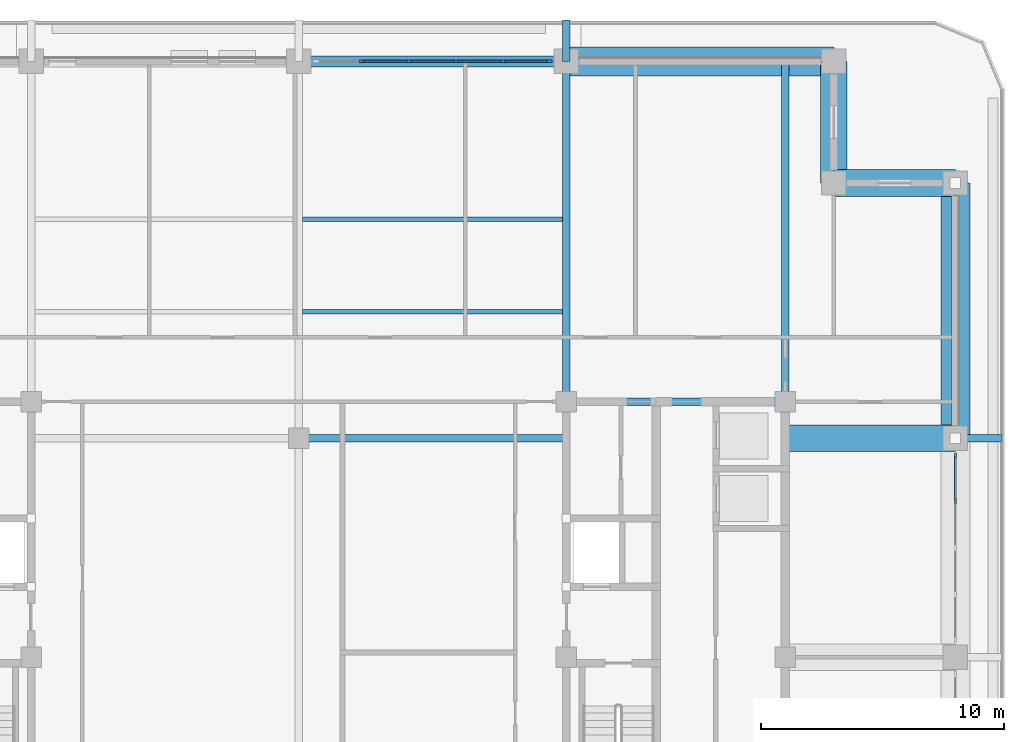
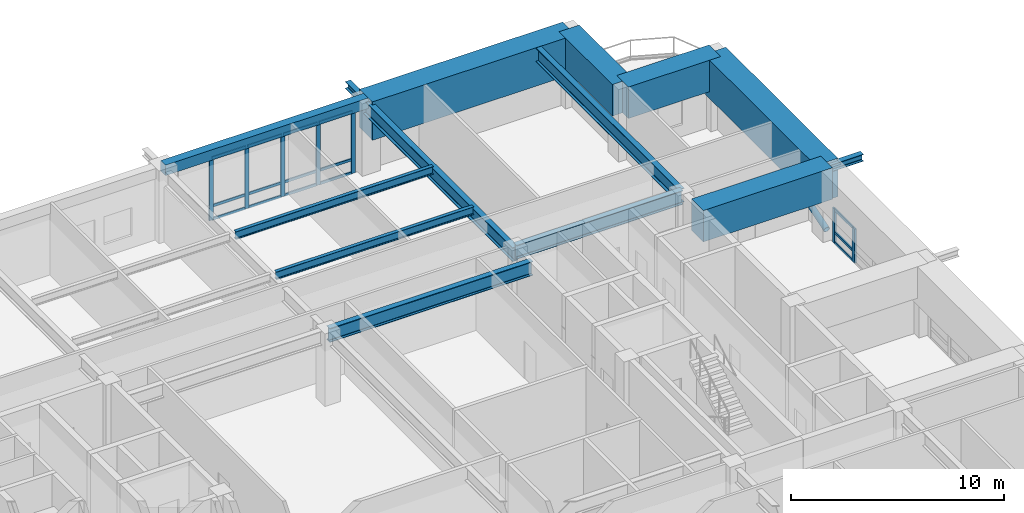
# One storey, part 6 of 20: 23 members, 14 beams, 2 elements without a shape of their own.
"""IFC4 building model written with IfcOpenShell, lengths in metres."""

from ifc_helpers import new_model, si_unit, direction, frame, origin, origin_2d, place, context, subcontext, project, spatial, rectangle, hollow_circle, i_section, extrude, material, material_profile, profile_set, type_object, element, aggregate, save


model = new_model("IFC4")

# Units and contexts
model_context = context("Model", 3, precision=1e-05, world=origin(), true_north=direction((0.0, 1.0)))
body_context = subcontext(model_context, "Body", "Model", "MODEL_VIEW")
ifc_project = project(units=[si_unit("LENGTHUNIT", "METRE"), si_unit("AREAUNIT", "SQUARE_METRE"), si_unit("VOLUMEUNIT", "CUBIC_METRE"), si_unit("PLANEANGLEUNIT", "RADIAN"), si_unit("MASSUNIT", "GRAM", prefix="KILO")], contexts=[model_context])

# Site, building, storey
site_placement = place(None, origin())
site = spatial("IfcSite", under=ifc_project, at=site_placement, CompositionType="ELEMENT")
building_placement = place(site_placement, origin())
building = spatial("IfcBuilding", under=site, at=building_placement, Name="Zulmaris Gate Convention Tower", CompositionType="ELEMENT")
storey_placement = place(building_placement, frame((0.0, 0.0, 158.23974609375)))
storey = spatial("IfcBuildingStorey", under=building, at=storey_placement, Name="L40", CompositionType="ELEMENT", Elevation=158.23974609375)

# Beams
ifc_material_1 = material(Name="Steel S355", Category="steel")
ifc_material_profile_1 = material_profile(ifc_material_1, i_section(OverallWidth=0.300048828125, OverallDepth=0.39990234375, WebThickness=0.013427734375, FlangeThickness=0.02392578125, FilletRadius=0.027099609375, at=origin_2d()), Name="HEB 400")
ifc_profile_set_1 = profile_set([ifc_material_profile_1], Name="Steel S355")
beam_type_1 = type_object("IfcBeamType", Name="BM-HEB400", PredefinedType="BEAM", material=ifc_profile_set_1)
beam_1_placement = place(storey_placement, frame((11.0, 24.5, 3.793212890625), z_axis=(0.0, 1.0, 0.0), x_axis=(-1.0, 0.0, 0.0)))
element("IfcBeam", 1, at=beam_1_placement, inside=storey, type_object=beam_type_1, Name="L40 Beam TBRK-L40-N-+11", PredefinedType="BEAM", context=body_context, shape_type="SweptSolid", body=[
    extrude(i_section(OverallWidth=0.300048828125, OverallDepth=0.39990234375, WebThickness=0.013427734375, FlangeThickness=0.02392578125, FilletRadius=0.027099609375, at=origin_2d()), origin(), (0.0, 0.0, 1.0), 1.699951171875),
])
beam_2_placement = place(storey_placement, frame((27.0, 9.0, 3.830078125), z_axis=(1.0, 0.0, 0.0), x_axis=(0.0, 1.0, 0.0)))
element("IfcBeam", 2, at=beam_2_placement, inside=storey, type_object=beam_type_1, Name="L40 Beam TBRK-L40-E-+9", PredefinedType="BEAM", context=body_context, shape_type="SweptSolid", body=[
    extrude(i_section(OverallWidth=0.300048828125, OverallDepth=0.39990234375, WebThickness=0.013427734375, FlangeThickness=0.02392578125, FilletRadius=0.027099609375, at=origin_2d()), origin(), (0.0, 0.0, 1.0), 1.89990234375),
])
ifc_material_profile_2 = material_profile(ifc_material_1, i_section(OverallWidth=0.300048828125, OverallDepth=0.800048828125, WebThickness=0.017578125, FlangeThickness=0.032958984375, FilletRadius=0.030029296875, at=origin_2d()), Name="HEB 800")
ifc_profile_set_2 = profile_set([ifc_material_profile_2], Name="Steel S355")
beam_type_2 = type_object("IfcBeamType", Name="BM-HEB800", PredefinedType="BEAM", material=ifc_profile_set_2)
beam_3_placement = place(storey_placement, frame((0.0, 9.0, 3.76806640625), z_axis=(1.0, 0.0, 0.0), x_axis=(0.0, 1.0, 0.0)))
element("IfcBeam", 3, at=beam_3_placement, inside=storey, type_object=beam_type_2, Name="L40 Beam BM-L40-G04", PredefinedType="BEAM", context=body_context, shape_type="SweptSolid", body=[
    extrude(i_section(OverallWidth=0.300048828125, OverallDepth=0.800048828125, WebThickness=0.017578125, FlangeThickness=0.032958984375, FilletRadius=0.030029296875, at=origin_2d()), origin(), (0.0, 0.0, 1.0), 11.0),
])
for number, where, z_axis, x_axis, name in (
    (4, (11.0, 10.5, 3.59326171875), (0.0, 1.0, 0.0), (-1.0, 0.0, 0.0), "L40 Beam BM-L40-G11"),
    (5, (20.0, 10.5, 3.76806640625), (0.0, 1.0, 0.0), (-1.0, 0.0, 0.0), "L40 Beam BM-L40-G15"),
):
    element("IfcBeam", number, at=place(storey_placement, frame(where, z_axis=z_axis, x_axis=x_axis)), inside=storey, type_object=beam_type_2, Name=name, PredefinedType="BEAM", context=body_context, shape_type="SweptSolid", body=[
        extrude(i_section(OverallWidth=0.300048828125, OverallDepth=0.800048828125, WebThickness=0.017578125, FlangeThickness=0.032958984375, FilletRadius=0.030029296875, at=origin_2d()), origin(), (0.0, 0.0, 1.0), 14.0),
    ])
beam_4_placement = place(storey_placement, frame((11.0, 10.5, 3.76806640625), z_axis=(1.0, 0.0, 0.0), x_axis=(0.0, 1.0, 0.0)))
element("IfcBeam", 6, at=beam_4_placement, inside=storey, type_object=beam_type_2, Name="L40 Beam BM-L40-G25", PredefinedType="BEAM", context=body_context, shape_type="SweptSolid", body=[
    extrude(i_section(OverallWidth=0.300048828125, OverallDepth=0.800048828125, WebThickness=0.017578125, FlangeThickness=0.032958984375, FilletRadius=0.030029296875, at=origin_2d()), origin(), (0.0, 0.0, 1.0), 9.0),
])
ifc_material_2 = material(Name="Precast concrete C50/60", Category="concrete")
ifc_material_profile_3 = material_profile(ifc_material_2, rectangle(XDim=0.449951171875, YDim=0.60009765625, at=origin_2d()), Name="RC SPANDREL 450x600")
ifc_profile_set_3 = profile_set([ifc_material_profile_3], Name="Precast concrete C50/60")
beam_type_3 = type_object("IfcBeamType", Name="BM-SP450x600", PredefinedType="SPANDREL", material=ifc_profile_set_3)
beam_5_placement = place(storey_placement, frame((11.0, 24.5, 3.8701171875), z_axis=(-1.0, 0.0, 0.0), x_axis=(0.0, -1.0, 0.0)))
element("IfcBeam", 7, at=beam_5_placement, inside=storey, type_object=beam_type_3, Name="L40 Spandrel SP-L40-14", PredefinedType="SPANDREL", context=body_context, shape_type="SweptSolid", body=[
    extrude(rectangle(XDim=0.449951171875, YDim=0.60009765625, at=origin_2d()), origin(), (0.0, 0.0, 1.0), 11.0),
])
ifc_material_3 = material(Name="Concrete C80/95", Category="concrete")
ifc_material_profile_4 = material_profile(ifc_material_3, rectangle(XDim=1.10009765625, YDim=1.800048828125, at=origin_2d()), Name="RC TRANSFER 1100x1800")
ifc_profile_set_4 = profile_set([ifc_material_profile_4], Name="Concrete C80/95")
beam_type_4 = type_object("IfcBeamType", Name="BM-XFER1800", PredefinedType="BEAM", material=ifc_profile_set_4)
for number, where, z_axis, x_axis, name in (
    (8, (27.0, 19.5, 3.270263671875), (-1.0, 0.0, 0.0), (0.0, -1.0, 0.0), "L40 Beam SP-L40-11"),
    (9, (22.0, 19.5, 3.270263671875), (0.0, 1.0, 0.0), (-1.0, 0.0, 0.0), "L40 Beam SP-L40-12"),
):
    element("IfcBeam", number, at=place(storey_placement, frame(where, z_axis=z_axis, x_axis=x_axis)), inside=storey, type_object=beam_type_4, Name=name, PredefinedType="BEAM", context=body_context, shape_type="SweptSolid", body=[
        extrude(rectangle(XDim=1.10009765625, YDim=1.800048828125, at=origin_2d()), origin(), (0.0, 0.0, 1.0), 5.0),
    ])
beam_6_placement = place(storey_placement, frame((20.0, 9.0, 3.270263671875), z_axis=(1.0, 0.0, 0.0), x_axis=(0.0, 1.0, 0.0)))
element("IfcBeam", 10, at=beam_6_placement, inside=storey, type_object=beam_type_4, Name="L40 Beam BM-L40-G21", PredefinedType="BEAM", context=body_context, shape_type="SweptSolid", body=[
    extrude(rectangle(XDim=1.10009765625, YDim=1.800048828125, at=origin_2d()), origin(), (0.0, 0.0, 1.0), 7.0),
])
ifc_material_profile_5 = material_profile(ifc_material_3, rectangle(XDim=1.199951171875, YDim=2.199951171875, at=origin_2d()), Name="RC TRANSFER 1200x2200")
ifc_profile_set_5 = profile_set([ifc_material_profile_5], Name="Concrete C80/95")
beam_type_5 = type_object("IfcBeamType", Name="BM-XFER2200", PredefinedType="BEAM", material=ifc_profile_set_5)
beam_7_placement = place(storey_placement, frame((27.0, 9.0, 3.070068359375), z_axis=(0.0, 1.0, 0.0), x_axis=(-1.0, 0.0, 0.0)))
element("IfcBeam", 11, at=beam_7_placement, inside=storey, type_object=beam_type_5, Name="L40 Beam SP-L40-10", PredefinedType="BEAM", context=body_context, shape_type="SweptSolid", body=[
    extrude(rectangle(XDim=1.199951171875, YDim=2.199951171875, at=origin_2d()), origin(), (0.0, 0.0, 1.0), 10.5),
])
beam_8_placement = place(storey_placement, frame((22.0, 24.5, 3.070068359375), z_axis=(-1.0, 0.0, 0.0), x_axis=(0.0, -1.0, 0.0)))
element("IfcBeam", 12, at=beam_8_placement, inside=storey, type_object=beam_type_5, Name="L40 Beam SP-L40-13", PredefinedType="BEAM", context=body_context, shape_type="SweptSolid", body=[
    extrude(rectangle(XDim=1.199951171875, YDim=2.199951171875, at=origin_2d()), origin(), (0.0, 0.0, 1.0), 11.0),
])

# Member
ifc_material_profile_6 = material_profile(ifc_material_1, hollow_circle(Radius=0.161865234375, WallThickness=0.01611328125, at=origin_2d()), Name="CHS 323.9x16")
ifc_profile_set_6 = profile_set([ifc_material_profile_6], Name="Steel S355")
member_type_1 = type_object("IfcMemberType", Name="BR-CHS324", PredefinedType="BRACE", material=ifc_profile_set_6)
member_1_placement = place(storey_placement, frame((27.0, 9.0, 0.300048828125), z_axis=(0.0, 0.955285890691, 0.295683728071), x_axis=(-1.0, 0.0, 0.0)))
element("IfcMember", 13, at=member_1_placement, inside=storey, type_object=member_type_1, Name="L40 Perimeter Tube Diagonal NE-E", PredefinedType="BRACE", context=body_context, shape_type="SweptSolid", body=[
    extrude(hollow_circle(Radius=0.161865234375, WallThickness=0.01611328125, at=origin_2d()), origin(), (0.0, 0.0, 1.0), 10.991455078125),
])

# Curtain wall, members
ifc_material_4 = material(Name="Anodised Aluminium", Category="aluminium")
curtain_wall_type = type_object("IfcCurtainWallType", Name="CW-04", PredefinedType="NOTDEFINED", material=ifc_material_4)
curtain_wall_1_placement = place(storey_placement, origin())
curtain_wall_1 = element("IfcCurtainWall", 14, at=curtain_wall_1_placement, inside=storey, type_object=curtain_wall_type, Name="CW-04 CW04-L40-N-2_0", PredefinedType="NOTDEFINED")
ifc_material_profile_7 = material_profile(ifc_material_4, rectangle(XDim=0.090087890625, YDim=0.219970703125, at=origin_2d()), Name="ALU MULLION 90x220")
ifc_profile_set_7 = profile_set([ifc_material_profile_7], Name="Anodised Aluminium")
member_type_2 = type_object("IfcMemberType", Name="CW-04-MULL", PredefinedType="MULLION", material=ifc_profile_set_7)
member_2_placement = place(storey_placement, frame((10.294921875, 24.5, 0.0), z_axis=(0.0, 0.0, 1.0), x_axis=(0.0, -1.0, 0.0)))
member_2 = element("IfcMember", 15, at=member_2_placement, type_object=member_type_2, Name="CW-04 mullion 1", PredefinedType="MULLION", context=body_context, shape_type="SweptSolid", body=[
    extrude(rectangle(XDim=0.090087890625, YDim=0.219970703125, at=origin_2d()), origin(), (0.0, 0.0, 1.0), 3.562255859375),
])
member_3_placement = place(storey_placement, frame((8.404052734375, 24.5, 0.0), z_axis=(0.0, 0.0, 1.0), x_axis=(0.0, -1.0, 0.0)))
member_3 = element("IfcMember", 16, at=member_3_placement, type_object=member_type_2, Name="CW-04 mullion 2", PredefinedType="MULLION", context=body_context, shape_type="SweptSolid", body=[
    extrude(rectangle(XDim=0.090087890625, YDim=0.219970703125, at=origin_2d()), origin(), (0.0, 0.0, 1.0), 3.562255859375),
])
member_4_placement = place(storey_placement, frame((6.468017578125, 24.5, 0.0), z_axis=(0.0, 0.0, 1.0), x_axis=(0.0, -1.0, 0.0)))
member_4 = element("IfcMember", 17, at=member_4_placement, type_object=member_type_2, Name="CW-04 mullion 3", PredefinedType="MULLION", context=body_context, shape_type="SweptSolid", body=[
    extrude(rectangle(XDim=0.090087890625, YDim=0.219970703125, at=origin_2d()), origin(), (0.0, 0.0, 1.0), 3.562255859375),
])
member_5_placement = place(storey_placement, frame((4.531982421875, 24.5, 0.0), z_axis=(0.0, 0.0, 1.0), x_axis=(0.0, -1.0, 0.0)))
member_5 = element("IfcMember", 18, at=member_5_placement, type_object=member_type_2, Name="CW-04 mullion 4", PredefinedType="MULLION", context=body_context, shape_type="SweptSolid", body=[
    extrude(rectangle(XDim=0.090087890625, YDim=0.219970703125, at=origin_2d()), origin(), (0.0, 0.0, 1.0), 3.562255859375),
])
member_6_placement = place(storey_placement, frame((2.595947265625, 24.5, 0.0), z_axis=(0.0, 0.0, 1.0), x_axis=(0.0, -1.0, 0.0)))
member_6 = element("IfcMember", 19, at=member_6_placement, type_object=member_type_2, Name="CW-04 mullion 5", PredefinedType="MULLION", context=body_context, shape_type="SweptSolid", body=[
    extrude(rectangle(XDim=0.090087890625, YDim=0.219970703125, at=origin_2d()), origin(), (0.0, 0.0, 1.0), 3.562255859375),
])

curtain_wall_2_placement = place(storey_placement, origin())
curtain_wall_2 = element("IfcCurtainWall", 20, at=curtain_wall_2_placement, inside=storey, type_object=curtain_wall_type, Name="CW-04 CW04-L40-E-2_0", PredefinedType="NOTDEFINED")
member_7_placement = place(storey_placement, frame((27.0, 6.419921875, 0.0), z_axis=(0.0, 0.0, 1.0), x_axis=(-1.0, 0.0, 0.0)))
member_7 = element("IfcMember", 21, at=member_7_placement, type_object=member_type_2, Name="CW-04 mullion 4", PredefinedType="MULLION", context=body_context, shape_type="SweptSolid", body=[
    extrude(rectangle(XDim=0.090087890625, YDim=0.219970703125, at=origin_2d()), origin(), (0.0, 0.0, 1.0), 1.962158203125),
])
member_8_placement = place(storey_placement, frame((27.0, 8.294921875, 0.0), z_axis=(0.0, 0.0, 1.0), x_axis=(-1.0, 0.0, 0.0)))
member_8 = element("IfcMember", 22, at=member_8_placement, type_object=member_type_2, Name="CW-04 mullion 5", PredefinedType="MULLION", context=body_context, shape_type="SweptSolid", body=[
    extrude(rectangle(XDim=0.090087890625, YDim=0.219970703125, at=origin_2d()), origin(), (0.0, 0.0, 1.0), 1.962158203125),
])

# Member
ifc_material_profile_8 = material_profile(ifc_material_4, rectangle(XDim=0.074951171875, YDim=0.14990234375, at=origin_2d()), Name="ALU TRANSOM 75x150")
ifc_profile_set_8 = profile_set([ifc_material_profile_8], Name="Anodised Aluminium")
member_type_3 = type_object("IfcMemberType", Name="CW-04-TRAN", PredefinedType="USERDEFINED", material=ifc_profile_set_8)
member_9_placement = place(storey_placement, frame((10.25, 24.5, 0.037353515625), z_axis=(-1.0, 0.0, 0.0), x_axis=(0.0, -1.0, 0.0)))
member_9 = element("IfcMember", 23, at=member_9_placement, type_object=member_type_3, Name="CW-04 transom 1.1", ObjectType="TRANSOM", PredefinedType="USERDEFINED", context=body_context, shape_type="SweptSolid", body=[
    extrude(rectangle(XDim=0.074951171875, YDim=0.14990234375, at=origin_2d()), origin(), (0.0, 0.0, 1.0), 1.801025390625),
])

member_10_placement = place(storey_placement, frame((10.25, 24.5, 0.800048828125), z_axis=(-1.0, 0.0, 0.0), x_axis=(0.0, -1.0, 0.0)))
member_10 = element("IfcMember", 24, at=member_10_placement, type_object=member_type_3, Name="CW-04 transom 1.2", ObjectType="TRANSOM", PredefinedType="USERDEFINED", context=body_context, shape_type="SweptSolid", body=[
    extrude(rectangle(XDim=0.074951171875, YDim=0.14990234375, at=origin_2d()), origin(), (0.0, 0.0, 1.0), 1.801025390625),
])

member_11_placement = place(storey_placement, frame((10.25, 24.5, 3.524658203125), z_axis=(-1.0, 0.0, 0.0), x_axis=(0.0, -1.0, 0.0)))
member_11 = element("IfcMember", 25, at=member_11_placement, type_object=member_type_3, Name="CW-04 transom 1.3", ObjectType="TRANSOM", PredefinedType="USERDEFINED", context=body_context, shape_type="SweptSolid", body=[
    extrude(rectangle(XDim=0.074951171875, YDim=0.14990234375, at=origin_2d()), origin(), (0.0, 0.0, 1.0), 1.801025390625),
])

member_12_placement = place(storey_placement, frame((8.35888671875, 24.5, 0.037353515625), z_axis=(-1.0, 0.0, 0.0), x_axis=(0.0, -1.0, 0.0)))
member_12 = element("IfcMember", 26, at=member_12_placement, type_object=member_type_3, Name="CW-04 transom 2.1", ObjectType="TRANSOM", PredefinedType="USERDEFINED", context=body_context, shape_type="SweptSolid", body=[
    extrude(rectangle(XDim=0.074951171875, YDim=0.14990234375, at=origin_2d()), origin(), (0.0, 0.0, 1.0), 1.845947265625),
])

member_13_placement = place(storey_placement, frame((8.35888671875, 24.5, 0.800048828125), z_axis=(-1.0, 0.0, 0.0), x_axis=(0.0, -1.0, 0.0)))
member_13 = element("IfcMember", 27, at=member_13_placement, type_object=member_type_3, Name="CW-04 transom 2.2", ObjectType="TRANSOM", PredefinedType="USERDEFINED", context=body_context, shape_type="SweptSolid", body=[
    extrude(rectangle(XDim=0.074951171875, YDim=0.14990234375, at=origin_2d()), origin(), (0.0, 0.0, 1.0), 1.845947265625),
])

member_14_placement = place(storey_placement, frame((8.35888671875, 24.5, 3.524658203125), z_axis=(-1.0, 0.0, 0.0), x_axis=(0.0, -1.0, 0.0)))
member_14 = element("IfcMember", 28, at=member_14_placement, type_object=member_type_3, Name="CW-04 transom 2.3", ObjectType="TRANSOM", PredefinedType="USERDEFINED", context=body_context, shape_type="SweptSolid", body=[
    extrude(rectangle(XDim=0.074951171875, YDim=0.14990234375, at=origin_2d()), origin(), (0.0, 0.0, 1.0), 1.845947265625),
])

member_15_placement = place(storey_placement, frame((6.423095703125, 24.5, 0.037353515625), z_axis=(-1.0, 0.0, 0.0), x_axis=(0.0, -1.0, 0.0)))
member_15 = element("IfcMember", 29, at=member_15_placement, type_object=member_type_3, Name="CW-04 transom 3.1", ObjectType="TRANSOM", PredefinedType="USERDEFINED", context=body_context, shape_type="SweptSolid", body=[
    extrude(rectangle(XDim=0.074951171875, YDim=0.14990234375, at=origin_2d()), origin(), (0.0, 0.0, 1.0), 1.84619140625),
])

member_16_placement = place(storey_placement, frame((6.423095703125, 24.5, 0.800048828125), z_axis=(-1.0, 0.0, 0.0), x_axis=(0.0, -1.0, 0.0)))
member_16 = element("IfcMember", 30, at=member_16_placement, type_object=member_type_3, Name="CW-04 transom 3.2", ObjectType="TRANSOM", PredefinedType="USERDEFINED", context=body_context, shape_type="SweptSolid", body=[
    extrude(rectangle(XDim=0.074951171875, YDim=0.14990234375, at=origin_2d()), origin(), (0.0, 0.0, 1.0), 1.84619140625),
])

member_17_placement = place(storey_placement, frame((6.423095703125, 24.5, 3.524658203125), z_axis=(-1.0, 0.0, 0.0), x_axis=(0.0, -1.0, 0.0)))
member_17 = element("IfcMember", 31, at=member_17_placement, type_object=member_type_3, Name="CW-04 transom 3.3", ObjectType="TRANSOM", PredefinedType="USERDEFINED", context=body_context, shape_type="SweptSolid", body=[
    extrude(rectangle(XDim=0.074951171875, YDim=0.14990234375, at=origin_2d()), origin(), (0.0, 0.0, 1.0), 1.84619140625),
])

member_18_placement = place(storey_placement, frame((4.487060546875, 24.5, 0.037353515625), z_axis=(-1.0, 0.0, 0.0), x_axis=(0.0, -1.0, 0.0)))
member_18 = element("IfcMember", 32, at=member_18_placement, type_object=member_type_3, Name="CW-04 transom 4.1", ObjectType="TRANSOM", PredefinedType="USERDEFINED", context=body_context, shape_type="SweptSolid", body=[
    extrude(rectangle(XDim=0.074951171875, YDim=0.14990234375, at=origin_2d()), origin(), (0.0, 0.0, 1.0), 1.845947265625),
])

member_19_placement = place(storey_placement, frame((4.487060546875, 24.5, 0.800048828125), z_axis=(-1.0, 0.0, 0.0), x_axis=(0.0, -1.0, 0.0)))
member_19 = element("IfcMember", 33, at=member_19_placement, type_object=member_type_3, Name="CW-04 transom 4.2", ObjectType="TRANSOM", PredefinedType="USERDEFINED", context=body_context, shape_type="SweptSolid", body=[
    extrude(rectangle(XDim=0.074951171875, YDim=0.14990234375, at=origin_2d()), origin(), (0.0, 0.0, 1.0), 1.845947265625),
])

member_20_placement = place(storey_placement, frame((4.487060546875, 24.5, 3.524658203125), z_axis=(-1.0, 0.0, 0.0), x_axis=(0.0, -1.0, 0.0)))
member_20 = element("IfcMember", 34, at=member_20_placement, type_object=member_type_3, Name="CW-04 transom 4.3", ObjectType="TRANSOM", PredefinedType="USERDEFINED", context=body_context, shape_type="SweptSolid", body=[
    extrude(rectangle(XDim=0.074951171875, YDim=0.14990234375, at=origin_2d()), origin(), (0.0, 0.0, 1.0), 1.845947265625),
])

aggregate(curtain_wall_1, [member_2, member_3, member_4, member_5, member_6, member_9, member_10, member_11, member_12, member_13, member_14, member_15, member_16, member_17, member_18, member_19, member_20])

member_21_placement = place(storey_placement, frame((27.0, 6.465087890625, 0.037353515625), z_axis=(0.0, 1.0, 0.0), x_axis=(-1.0, 0.0, 0.0)))
member_21 = element("IfcMember", 35, at=member_21_placement, type_object=member_type_3, Name="CW-04 transom 4.1", ObjectType="TRANSOM", PredefinedType="USERDEFINED", context=body_context, shape_type="SweptSolid", body=[
    extrude(rectangle(XDim=0.074951171875, YDim=0.14990234375, at=origin_2d()), origin(), (0.0, 0.0, 1.0), 1.784912109375),
])

member_22_placement = place(storey_placement, frame((27.0, 6.465087890625, 0.6279296875), z_axis=(0.0, 1.0, 0.0), x_axis=(-1.0, 0.0, 0.0)))
member_22 = element("IfcMember", 36, at=member_22_placement, type_object=member_type_3, Name="CW-04 transom 4.2", ObjectType="TRANSOM", PredefinedType="USERDEFINED", context=body_context, shape_type="SweptSolid", body=[
    extrude(rectangle(XDim=0.074951171875, YDim=0.14990234375, at=origin_2d()), origin(), (0.0, 0.0, 1.0), 1.784912109375),
])

member_23_placement = place(storey_placement, frame((27.0, 6.465087890625, 1.924560546875), z_axis=(0.0, 1.0, 0.0), x_axis=(-1.0, 0.0, 0.0)))
member_23 = element("IfcMember", 37, at=member_23_placement, type_object=member_type_3, Name="CW-04 transom 4.3", ObjectType="TRANSOM", PredefinedType="USERDEFINED", context=body_context, shape_type="SweptSolid", body=[
    extrude(rectangle(XDim=0.074951171875, YDim=0.14990234375, at=origin_2d()), origin(), (0.0, 0.0, 1.0), 1.784912109375),
])

aggregate(curtain_wall_2, [member_7, member_8, member_21, member_22, member_23])

# Beams
ifc_material_profile_9 = material_profile(ifc_material_1, i_section(OverallWidth=0.18994140625, OverallDepth=0.449951171875, WebThickness=0.009521484375, FlangeThickness=0.0146484375, FilletRadius=0.02099609375, at=origin_2d()), Name="IPE 450")
ifc_profile_set_9 = profile_set([ifc_material_profile_9], Name="Steel S355")
beam_type_6 = type_object("IfcBeamType", Name="JT-IPE450", PredefinedType="JOIST", material=ifc_profile_set_9)
for number, where, z_axis, x_axis, name in (
    (38, (0.14990234375, 14.199951171875, 3.943115234375), (1.0, 0.0, 0.0), (0.0, 1.0, 0.0), "L40 Joist JT-L40-CE-+14.2"),
    (39, (0.14990234375, 18.0, 3.943115234375), (1.0, 0.0, 0.0), (0.0, 1.0, 0.0), "L40 Joist JT-L40-CE-+18.0"),
):
    element("IfcBeam", number, at=place(storey_placement, frame(where, z_axis=z_axis, x_axis=x_axis)), inside=storey, type_object=beam_type_6, Name=name, PredefinedType="JOIST", context=body_context, shape_type="SweptSolid", body=[
        extrude(i_section(OverallWidth=0.18994140625, OverallDepth=0.449951171875, WebThickness=0.009521484375, FlangeThickness=0.0146484375, FilletRadius=0.02099609375, at=origin_2d()), origin(), (0.0, 0.0, 1.0), 10.7001953125),
    ])

save(model, "model.ifc")
